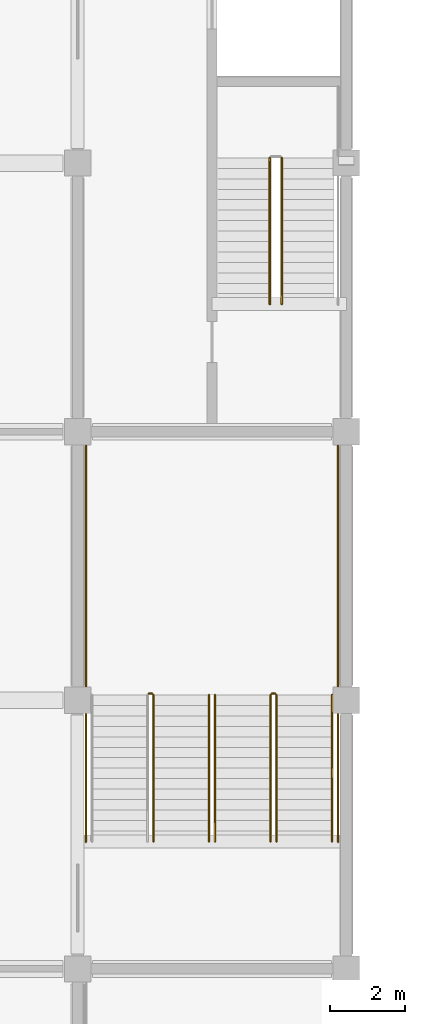
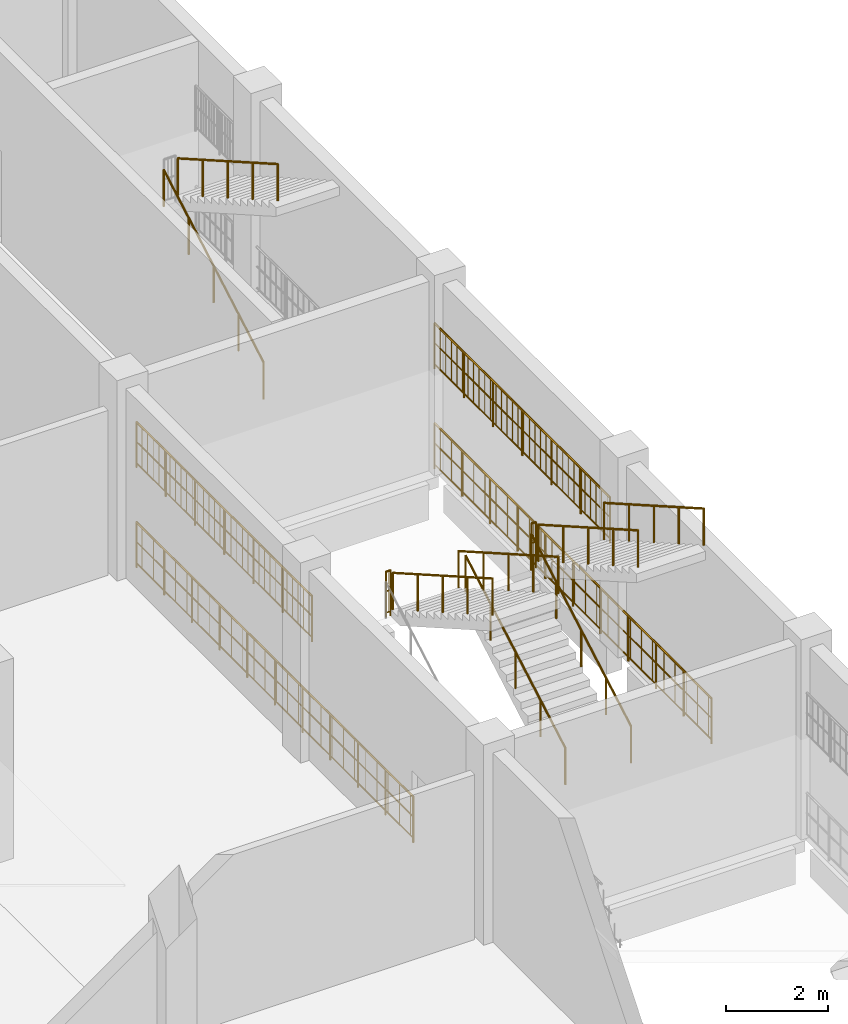
# One storey, part 98 of 99: 14 railings.
"""IFC4 building model written with IfcOpenShell, lengths in metres."""

from ifc_helpers import new_model, si_unit, direction, frame, origin, origin_2d, place, context, subcontext, project, spatial, circle, extrude, material, type_object, element, save


model = new_model("IFC4")

# Units and contexts
model_context = context("Model", 3, precision=1e-05, world=origin(), true_north=direction((0.0, 1.0)))
body_context = subcontext(model_context, "Body", "Model", "MODEL_VIEW")
ifc_project = project(units=[si_unit("LENGTHUNIT", "METRE"), si_unit("AREAUNIT", "SQUARE_METRE"), si_unit("VOLUMEUNIT", "CUBIC_METRE"), si_unit("PLANEANGLEUNIT", "RADIAN"), si_unit("MASSUNIT", "GRAM", prefix="KILO")], contexts=[model_context])

# Site, building, storey
site_placement = place(None, origin())
site = spatial("IfcSite", under=ifc_project, at=site_placement, CompositionType="ELEMENT")
building_placement = place(site_placement, origin())
building = spatial("IfcBuilding", under=site, at=building_placement, Name="Vesperath Aquatics Centre", CompositionType="ELEMENT")
storey_placement = place(building_placement, frame((0.0, 0.0, 5.39990234375)))
storey = spatial("IfcBuildingStorey", under=building, at=storey_placement, Name="L01", CompositionType="ELEMENT", Elevation=5.39990234375)

# Railings
ifc_material_1 = material(Name="Powder-coated galvanized steel safety guard", Category="steel")
railing_type_1 = type_object("IfcRailingType", Name="RL-GRD01", PredefinedType="GUARDRAIL", material=ifc_material_1)
railing_1_placement = place(storey_placement, frame((167.5, 72.179931640625, 2.400146484375)))
element("IfcRailing", 1, at=railing_1_placement, inside=storey, type_object=railing_type_1, Name="Stair ST13A Half-Landing Slot Guard GR02 L01", PredefinedType="GUARDRAIL", context=body_context, shape_type="SweptSolid", body=[
    extrude(circle(Radius=0.02392578125, at=origin_2d()), frame((0.0, 0.0, 1.0859375), z_axis=(1.0, 0.0, 0.0), x_axis=(0.0, 1.0, 0.0)), (0.0, 0.0, 1.0), 0.10009765625),
    extrude(circle(Radius=0.01611328125, at=origin_2d()), frame((0.0, 0.0, 0.10009765625), z_axis=(1.0, 0.0, 0.0), x_axis=(0.0, 1.0, 0.0)), (0.0, 0.0, 1.0), 0.10009765625),
    extrude(circle(Radius=0.01611328125, at=origin_2d()), frame((0.0, 0.0, 0.610595703125), z_axis=(1.0, 0.0, 0.0), x_axis=(0.0, 1.0, 0.0)), (0.0, 0.0, 1.0), 0.10009765625),
    extrude(circle(Radius=0.009033203125, at=origin_2d()), frame((0.050048828125, 0.0, 0.10009765625)), (0.0, 0.0, 1.0), 0.9619140625),
    extrude(circle(Radius=0.02197265625, at=origin_2d()), origin(), (0.0, 0.0, 1.0), 1.0859375),
    extrude(circle(Radius=0.02197265625, at=origin_2d()), frame((0.10009765625, 0.0, 0.0)), (0.0, 0.0, 1.0), 1.0859375),
])
railing_2_placement = place(storey_placement, frame((165.820068359375, 72.179931640625, 2.400146484375)))
element("IfcRailing", 2, at=railing_2_placement, inside=storey, type_object=railing_type_1, Name="Stair ST13A Half-Landing Wall Guard GR02 L01", PredefinedType="GUARDRAIL", context=body_context, shape_type="SweptSolid", body=[
    extrude(circle(Radius=0.02392578125, at=origin_2d()), frame((0.0, 0.0, 1.0859375), z_axis=(0.0, 1.0, 0.0), x_axis=(-1.0, 0.0, 0.0)), (0.0, 0.0, 1.0), 6.89013671875),
    extrude(circle(Radius=0.01611328125, at=origin_2d()), frame((0.0, 0.0, 0.10009765625), z_axis=(0.0, 1.0, 0.0), x_axis=(-1.0, 0.0, 0.0)), (0.0, 0.0, 1.0), 6.89013671875),
    extrude(circle(Radius=0.01611328125, at=origin_2d()), frame((0.0, 0.0, 0.610595703125), z_axis=(0.0, 1.0, 0.0), x_axis=(-1.0, 0.0, 0.0)), (0.0, 0.0, 1.0), 6.89013671875),
    extrude(circle(Radius=0.009033203125, at=origin_2d()), frame((0.0, 0.109375, 0.10009765625)), (0.0, 0.0, 1.0), 0.9619140625),
    extrude(circle(Radius=0.009033203125, at=origin_2d()), frame((0.0, 0.328125, 0.10009765625)), (0.0, 0.0, 1.0), 0.9619140625),
    extrude(circle(Radius=0.009033203125, at=origin_2d()), frame((0.0, 0.546875, 0.10009765625)), (0.0, 0.0, 1.0), 0.9619140625),
    extrude(circle(Radius=0.009033203125, at=origin_2d()), frame((0.0, 0.765625, 0.10009765625)), (0.0, 0.0, 1.0), 0.9619140625),
    extrude(circle(Radius=0.009033203125, at=origin_2d()), frame((0.0, 0.984375, 0.10009765625)), (0.0, 0.0, 1.0), 0.9619140625),
    extrude(circle(Radius=0.009033203125, at=origin_2d()), frame((0.0, 1.203125, 0.10009765625)), (0.0, 0.0, 1.0), 0.9619140625),
    extrude(circle(Radius=0.009033203125, at=origin_2d()), frame((0.0, 1.421875, 0.10009765625)), (0.0, 0.0, 1.0), 0.9619140625),
    extrude(circle(Radius=0.009033203125, at=origin_2d()), frame((0.0, 1.640625, 0.10009765625)), (0.0, 0.0, 1.0), 0.9619140625),
    extrude(circle(Radius=0.009033203125, at=origin_2d()), frame((0.0, 1.859130859375, 0.10009765625)), (0.0, 0.0, 1.0), 0.9619140625),
    extrude(circle(Radius=0.009033203125, at=origin_2d()), frame((0.0, 2.077880859375, 0.10009765625)), (0.0, 0.0, 1.0), 0.9619140625),
    extrude(circle(Radius=0.009033203125, at=origin_2d()), frame((0.0, 2.296630859375, 0.10009765625)), (0.0, 0.0, 1.0), 0.9619140625),
    extrude(circle(Radius=0.009033203125, at=origin_2d()), frame((0.0, 2.515380859375, 0.10009765625)), (0.0, 0.0, 1.0), 0.9619140625),
    extrude(circle(Radius=0.009033203125, at=origin_2d()), frame((0.0, 2.734130859375, 0.10009765625)), (0.0, 0.0, 1.0), 0.9619140625),
    extrude(circle(Radius=0.009033203125, at=origin_2d()), frame((0.0, 2.952880859375, 0.10009765625)), (0.0, 0.0, 1.0), 0.9619140625),
    extrude(circle(Radius=0.009033203125, at=origin_2d()), frame((0.0, 3.171630859375, 0.10009765625)), (0.0, 0.0, 1.0), 0.9619140625),
    extrude(circle(Radius=0.009033203125, at=origin_2d()), frame((0.0, 3.390380859375, 0.10009765625)), (0.0, 0.0, 1.0), 0.9619140625),
    extrude(circle(Radius=0.009033203125, at=origin_2d()), frame((0.0, 3.609130859375, 0.10009765625)), (0.0, 0.0, 1.0), 0.9619140625),
    extrude(circle(Radius=0.009033203125, at=origin_2d()), frame((0.0, 3.827880859375, 0.10009765625)), (0.0, 0.0, 1.0), 0.9619140625),
    extrude(circle(Radius=0.009033203125, at=origin_2d()), frame((0.0, 4.046630859375, 0.10009765625)), (0.0, 0.0, 1.0), 0.9619140625),
    extrude(circle(Radius=0.009033203125, at=origin_2d()), frame((0.0, 4.265380859375, 0.10009765625)), (0.0, 0.0, 1.0), 0.9619140625),
    extrude(circle(Radius=0.009033203125, at=origin_2d()), frame((0.0, 4.484130859375, 0.10009765625)), (0.0, 0.0, 1.0), 0.9619140625),
    extrude(circle(Radius=0.009033203125, at=origin_2d()), frame((0.0, 4.702880859375, 0.10009765625)), (0.0, 0.0, 1.0), 0.9619140625),
    extrude(circle(Radius=0.009033203125, at=origin_2d()), frame((0.0, 4.921630859375, 0.10009765625)), (0.0, 0.0, 1.0), 0.9619140625),
    extrude(circle(Radius=0.009033203125, at=origin_2d()), frame((0.0, 5.140380859375, 0.10009765625)), (0.0, 0.0, 1.0), 0.9619140625),
    extrude(circle(Radius=0.009033203125, at=origin_2d()), frame((0.0, 5.35888671875, 0.10009765625)), (0.0, 0.0, 1.0), 0.9619140625),
    extrude(circle(Radius=0.009033203125, at=origin_2d()), frame((0.0, 5.57763671875, 0.10009765625)), (0.0, 0.0, 1.0), 0.9619140625),
    extrude(circle(Radius=0.009033203125, at=origin_2d()), frame((0.0, 5.79638671875, 0.10009765625)), (0.0, 0.0, 1.0), 0.9619140625),
    extrude(circle(Radius=0.009033203125, at=origin_2d()), frame((0.0, 6.01513671875, 0.10009765625)), (0.0, 0.0, 1.0), 0.9619140625),
    extrude(circle(Radius=0.009033203125, at=origin_2d()), frame((0.0, 6.23388671875, 0.10009765625)), (0.0, 0.0, 1.0), 0.9619140625),
    extrude(circle(Radius=0.009033203125, at=origin_2d()), frame((0.0, 6.45263671875, 0.10009765625)), (0.0, 0.0, 1.0), 0.9619140625),
    extrude(circle(Radius=0.009033203125, at=origin_2d()), frame((0.0, 6.67138671875, 0.10009765625)), (0.0, 0.0, 1.0), 0.9619140625),
    extrude(circle(Radius=0.02197265625, at=origin_2d()), origin(), (0.0, 0.0, 1.0), 1.0859375),
    extrude(circle(Radius=0.02197265625, at=origin_2d()), frame((0.0, 1.1484375, 0.0)), (0.0, 0.0, 1.0), 1.0859375),
    extrude(circle(Radius=0.02197265625, at=origin_2d()), frame((0.0, 2.296630859375, 0.0)), (0.0, 0.0, 1.0), 1.0859375),
    extrude(circle(Radius=0.02197265625, at=origin_2d()), frame((0.0, 3.445068359375, 0.0)), (0.0, 0.0, 1.0), 1.0859375),
    extrude(circle(Radius=0.02197265625, at=origin_2d()), frame((0.0, 4.593505859375, 0.0)), (0.0, 0.0, 1.0), 1.0859375),
    extrude(circle(Radius=0.02197265625, at=origin_2d()), frame((0.0, 5.74169921875, 0.0)), (0.0, 0.0, 1.0), 1.0859375),
    extrude(circle(Radius=0.02197265625, at=origin_2d()), frame((0.0, 6.89013671875, 0.0)), (0.0, 0.0, 1.0), 1.0859375),
])
railing_3_placement = place(storey_placement, frame((165.820068359375, 68.199951171875, 0.0)))
element("IfcRailing", 3, at=railing_3_placement, inside=storey, type_object=railing_type_1, Name="Stair ST13A Shaft Side Guard GR02 L01", PredefinedType="GUARDRAIL", context=body_context, shape_type="SweptSolid", body=[
    extrude(circle(Radius=0.02392578125, at=origin_2d()), frame((0.0, 0.0, 1.0859375), z_axis=(0.0, 1.0, 0.0), x_axis=(-1.0, 0.0, 0.0)), (0.0, 0.0, 1.0), 10.8701171875),
    extrude(circle(Radius=0.01611328125, at=origin_2d()), frame((0.0, 0.0, 0.10009765625), z_axis=(0.0, 1.0, 0.0), x_axis=(-1.0, 0.0, 0.0)), (0.0, 0.0, 1.0), 10.8701171875),
    extrude(circle(Radius=0.01611328125, at=origin_2d()), frame((0.0, 0.0, 0.610595703125), z_axis=(0.0, 1.0, 0.0), x_axis=(-1.0, 0.0, 0.0)), (0.0, 0.0, 1.0), 10.8701171875),
    extrude(circle(Radius=0.009033203125, at=origin_2d()), frame((0.0, 0.10986328125, 0.10009765625)), (0.0, 0.0, 1.0), 0.9619140625),
    extrude(circle(Radius=0.009033203125, at=origin_2d()), frame((0.0, 0.549072265625, 0.10009765625)), (0.0, 0.0, 1.0), 0.9619140625),
    extrude(circle(Radius=0.009033203125, at=origin_2d()), frame((0.0, 0.98828125, 0.10009765625)), (0.0, 0.0, 1.0), 0.9619140625),
    extrude(circle(Radius=0.009033203125, at=origin_2d()), frame((0.0, 1.427490234375, 0.10009765625)), (0.0, 0.0, 1.0), 0.9619140625),
    extrude(circle(Radius=0.009033203125, at=origin_2d()), frame((0.0, 1.86669921875, 0.10009765625)), (0.0, 0.0, 1.0), 0.9619140625),
    extrude(circle(Radius=0.009033203125, at=origin_2d()), frame((0.0, 2.3056640625, 0.10009765625)), (0.0, 0.0, 1.0), 0.9619140625),
    extrude(circle(Radius=0.009033203125, at=origin_2d()), frame((0.0, 2.744873046875, 0.10009765625)), (0.0, 0.0, 1.0), 0.9619140625),
    extrude(circle(Radius=0.009033203125, at=origin_2d()), frame((0.0, 3.18408203125, 0.10009765625)), (0.0, 0.0, 1.0), 0.9619140625),
    extrude(circle(Radius=0.009033203125, at=origin_2d()), frame((0.0, 3.623291015625, 0.10009765625)), (0.0, 0.0, 1.0), 0.9619140625),
    extrude(circle(Radius=0.009033203125, at=origin_2d()), frame((0.0, 4.0625, 0.10009765625)), (0.0, 0.0, 1.0), 0.9619140625),
    extrude(circle(Radius=0.009033203125, at=origin_2d()), frame((0.0, 4.501708984375, 0.10009765625)), (0.0, 0.0, 1.0), 0.9619140625),
    extrude(circle(Radius=0.009033203125, at=origin_2d()), frame((0.0, 4.94091796875, 0.10009765625)), (0.0, 0.0, 1.0), 0.9619140625),
    extrude(circle(Radius=0.009033203125, at=origin_2d()), frame((0.0, 5.380126953125, 0.10009765625)), (0.0, 0.0, 1.0), 0.9619140625),
    extrude(circle(Radius=0.009033203125, at=origin_2d()), frame((0.0, 5.8193359375, 0.10009765625)), (0.0, 0.0, 1.0), 0.9619140625),
    extrude(circle(Radius=0.009033203125, at=origin_2d()), frame((0.0, 6.258544921875, 0.10009765625)), (0.0, 0.0, 1.0), 0.9619140625),
    extrude(circle(Radius=0.009033203125, at=origin_2d()), frame((0.0, 6.69775390625, 0.10009765625)), (0.0, 0.0, 1.0), 0.9619140625),
    extrude(circle(Radius=0.009033203125, at=origin_2d()), frame((0.0, 7.136962890625, 0.10009765625)), (0.0, 0.0, 1.0), 0.9619140625),
    extrude(circle(Radius=0.009033203125, at=origin_2d()), frame((0.0, 7.576171875, 0.10009765625)), (0.0, 0.0, 1.0), 0.9619140625),
    extrude(circle(Radius=0.009033203125, at=origin_2d()), frame((0.0, 8.015380859375, 0.10009765625)), (0.0, 0.0, 1.0), 0.9619140625),
    extrude(circle(Radius=0.009033203125, at=origin_2d()), frame((0.0, 8.45458984375, 0.10009765625)), (0.0, 0.0, 1.0), 0.9619140625),
    extrude(circle(Radius=0.009033203125, at=origin_2d()), frame((0.0, 8.893798828125, 0.10009765625)), (0.0, 0.0, 1.0), 0.9619140625),
    extrude(circle(Radius=0.009033203125, at=origin_2d()), frame((0.0, 9.3330078125, 0.10009765625)), (0.0, 0.0, 1.0), 0.9619140625),
    extrude(circle(Radius=0.009033203125, at=origin_2d()), frame((0.0, 9.772216796875, 0.10009765625)), (0.0, 0.0, 1.0), 0.9619140625),
    extrude(circle(Radius=0.009033203125, at=origin_2d()), frame((0.0, 10.21142578125, 0.10009765625)), (0.0, 0.0, 1.0), 0.9619140625),
    extrude(circle(Radius=0.009033203125, at=origin_2d()), frame((0.0, 10.650634765625, 0.10009765625)), (0.0, 0.0, 1.0), 0.9619140625),
    extrude(circle(Radius=0.02197265625, at=origin_2d()), origin(), (0.0, 0.0, 1.0), 1.0859375),
    extrude(circle(Radius=0.02197265625, at=origin_2d()), frame((0.0, 1.0869140625, 0.0)), (0.0, 0.0, 1.0), 1.0859375),
    extrude(circle(Radius=0.02197265625, at=origin_2d()), frame((0.0, 2.174072265625, 0.0)), (0.0, 0.0, 1.0), 1.0859375),
    extrude(circle(Radius=0.02197265625, at=origin_2d()), frame((0.0, 3.260986328125, 0.0)), (0.0, 0.0, 1.0), 1.0859375),
    extrude(circle(Radius=0.02197265625, at=origin_2d()), frame((0.0, 4.34814453125, 0.0)), (0.0, 0.0, 1.0), 1.0859375),
    extrude(circle(Radius=0.02197265625, at=origin_2d()), frame((0.0, 5.43505859375, 0.0)), (0.0, 0.0, 1.0), 1.0859375),
    extrude(circle(Radius=0.02197265625, at=origin_2d()), frame((0.0, 6.52197265625, 0.0)), (0.0, 0.0, 1.0), 1.0859375),
    extrude(circle(Radius=0.02197265625, at=origin_2d()), frame((0.0, 7.609130859375, 0.0)), (0.0, 0.0, 1.0), 1.0859375),
    extrude(circle(Radius=0.02197265625, at=origin_2d()), frame((0.0, 8.696044921875, 0.0)), (0.0, 0.0, 1.0), 1.0859375),
    extrude(circle(Radius=0.02197265625, at=origin_2d()), frame((0.0, 9.783203125, 0.0)), (0.0, 0.0, 1.0), 1.0859375),
    extrude(circle(Radius=0.02197265625, at=origin_2d()), frame((0.0, 10.8701171875, 0.0)), (0.0, 0.0, 1.0), 1.0859375),
])
railing_4_placement = place(storey_placement, frame((170.800048828125, 72.179931640625, 2.400146484375)))
element("IfcRailing", 4, at=railing_4_placement, inside=storey, type_object=railing_type_1, Name="Stair ST13B Half-Landing Slot Guard GR02 L01", PredefinedType="GUARDRAIL", context=body_context, shape_type="SweptSolid", body=[
    extrude(circle(Radius=0.02392578125, at=origin_2d()), frame((0.0, 0.0, 1.0859375), z_axis=(1.0, 0.0, 0.0), x_axis=(0.0, 1.0, 0.0)), (0.0, 0.0, 1.0), 0.099853515625),
    extrude(circle(Radius=0.01611328125, at=origin_2d()), frame((0.0, 0.0, 0.10009765625), z_axis=(1.0, 0.0, 0.0), x_axis=(0.0, 1.0, 0.0)), (0.0, 0.0, 1.0), 0.099853515625),
    extrude(circle(Radius=0.01611328125, at=origin_2d()), frame((0.0, 0.0, 0.610595703125), z_axis=(1.0, 0.0, 0.0), x_axis=(0.0, 1.0, 0.0)), (0.0, 0.0, 1.0), 0.099853515625),
    extrude(circle(Radius=0.009033203125, at=origin_2d()), frame((0.0498046875, 0.0, 0.10009765625)), (0.0, 0.0, 1.0), 0.9619140625),
    extrude(circle(Radius=0.02197265625, at=origin_2d()), origin(), (0.0, 0.0, 1.0), 1.0859375),
    extrude(circle(Radius=0.02197265625, at=origin_2d()), frame((0.099853515625, 0.0, 0.0)), (0.0, 0.0, 1.0), 1.0859375),
])
railing_5_placement = place(storey_placement, frame((172.580078125, 72.179931640625, 2.400146484375)))
element("IfcRailing", 5, at=railing_5_placement, inside=storey, type_object=railing_type_1, Name="Stair ST13B Half-Landing Wall Guard GR02 L01", PredefinedType="GUARDRAIL", context=body_context, shape_type="SweptSolid", body=[
    extrude(circle(Radius=0.02392578125, at=origin_2d()), frame((0.0, 0.0, 1.0859375), z_axis=(0.0, 1.0, 0.0), x_axis=(-1.0, 0.0, 0.0)), (0.0, 0.0, 1.0), 6.89013671875),
    extrude(circle(Radius=0.01611328125, at=origin_2d()), frame((0.0, 0.0, 0.10009765625), z_axis=(0.0, 1.0, 0.0), x_axis=(-1.0, 0.0, 0.0)), (0.0, 0.0, 1.0), 6.89013671875),
    extrude(circle(Radius=0.01611328125, at=origin_2d()), frame((0.0, 0.0, 0.610595703125), z_axis=(0.0, 1.0, 0.0), x_axis=(-1.0, 0.0, 0.0)), (0.0, 0.0, 1.0), 6.89013671875),
    extrude(circle(Radius=0.009033203125, at=origin_2d()), frame((0.0, 0.109375, 0.10009765625)), (0.0, 0.0, 1.0), 0.9619140625),
    extrude(circle(Radius=0.009033203125, at=origin_2d()), frame((0.0, 0.328125, 0.10009765625)), (0.0, 0.0, 1.0), 0.9619140625),
    extrude(circle(Radius=0.009033203125, at=origin_2d()), frame((0.0, 0.546875, 0.10009765625)), (0.0, 0.0, 1.0), 0.9619140625),
    extrude(circle(Radius=0.009033203125, at=origin_2d()), frame((0.0, 0.765625, 0.10009765625)), (0.0, 0.0, 1.0), 0.9619140625),
    extrude(circle(Radius=0.009033203125, at=origin_2d()), frame((0.0, 0.984375, 0.10009765625)), (0.0, 0.0, 1.0), 0.9619140625),
    extrude(circle(Radius=0.009033203125, at=origin_2d()), frame((0.0, 1.203125, 0.10009765625)), (0.0, 0.0, 1.0), 0.9619140625),
    extrude(circle(Radius=0.009033203125, at=origin_2d()), frame((0.0, 1.421875, 0.10009765625)), (0.0, 0.0, 1.0), 0.9619140625),
    extrude(circle(Radius=0.009033203125, at=origin_2d()), frame((0.0, 1.640625, 0.10009765625)), (0.0, 0.0, 1.0), 0.9619140625),
    extrude(circle(Radius=0.009033203125, at=origin_2d()), frame((0.0, 1.859130859375, 0.10009765625)), (0.0, 0.0, 1.0), 0.9619140625),
    extrude(circle(Radius=0.009033203125, at=origin_2d()), frame((0.0, 2.077880859375, 0.10009765625)), (0.0, 0.0, 1.0), 0.9619140625),
    extrude(circle(Radius=0.009033203125, at=origin_2d()), frame((0.0, 2.296630859375, 0.10009765625)), (0.0, 0.0, 1.0), 0.9619140625),
    extrude(circle(Radius=0.009033203125, at=origin_2d()), frame((0.0, 2.515380859375, 0.10009765625)), (0.0, 0.0, 1.0), 0.9619140625),
    extrude(circle(Radius=0.009033203125, at=origin_2d()), frame((0.0, 2.734130859375, 0.10009765625)), (0.0, 0.0, 1.0), 0.9619140625),
    extrude(circle(Radius=0.009033203125, at=origin_2d()), frame((0.0, 2.952880859375, 0.10009765625)), (0.0, 0.0, 1.0), 0.9619140625),
    extrude(circle(Radius=0.009033203125, at=origin_2d()), frame((0.0, 3.171630859375, 0.10009765625)), (0.0, 0.0, 1.0), 0.9619140625),
    extrude(circle(Radius=0.009033203125, at=origin_2d()), frame((0.0, 3.390380859375, 0.10009765625)), (0.0, 0.0, 1.0), 0.9619140625),
    extrude(circle(Radius=0.009033203125, at=origin_2d()), frame((0.0, 3.609130859375, 0.10009765625)), (0.0, 0.0, 1.0), 0.9619140625),
    extrude(circle(Radius=0.009033203125, at=origin_2d()), frame((0.0, 3.827880859375, 0.10009765625)), (0.0, 0.0, 1.0), 0.9619140625),
    extrude(circle(Radius=0.009033203125, at=origin_2d()), frame((0.0, 4.046630859375, 0.10009765625)), (0.0, 0.0, 1.0), 0.9619140625),
    extrude(circle(Radius=0.009033203125, at=origin_2d()), frame((0.0, 4.265380859375, 0.10009765625)), (0.0, 0.0, 1.0), 0.9619140625),
    extrude(circle(Radius=0.009033203125, at=origin_2d()), frame((0.0, 4.484130859375, 0.10009765625)), (0.0, 0.0, 1.0), 0.9619140625),
    extrude(circle(Radius=0.009033203125, at=origin_2d()), frame((0.0, 4.702880859375, 0.10009765625)), (0.0, 0.0, 1.0), 0.9619140625),
    extrude(circle(Radius=0.009033203125, at=origin_2d()), frame((0.0, 4.921630859375, 0.10009765625)), (0.0, 0.0, 1.0), 0.9619140625),
    extrude(circle(Radius=0.009033203125, at=origin_2d()), frame((0.0, 5.140380859375, 0.10009765625)), (0.0, 0.0, 1.0), 0.9619140625),
    extrude(circle(Radius=0.009033203125, at=origin_2d()), frame((0.0, 5.35888671875, 0.10009765625)), (0.0, 0.0, 1.0), 0.9619140625),
    extrude(circle(Radius=0.009033203125, at=origin_2d()), frame((0.0, 5.57763671875, 0.10009765625)), (0.0, 0.0, 1.0), 0.9619140625),
    extrude(circle(Radius=0.009033203125, at=origin_2d()), frame((0.0, 5.79638671875, 0.10009765625)), (0.0, 0.0, 1.0), 0.9619140625),
    extrude(circle(Radius=0.009033203125, at=origin_2d()), frame((0.0, 6.01513671875, 0.10009765625)), (0.0, 0.0, 1.0), 0.9619140625),
    extrude(circle(Radius=0.009033203125, at=origin_2d()), frame((0.0, 6.23388671875, 0.10009765625)), (0.0, 0.0, 1.0), 0.9619140625),
    extrude(circle(Radius=0.009033203125, at=origin_2d()), frame((0.0, 6.45263671875, 0.10009765625)), (0.0, 0.0, 1.0), 0.9619140625),
    extrude(circle(Radius=0.009033203125, at=origin_2d()), frame((0.0, 6.67138671875, 0.10009765625)), (0.0, 0.0, 1.0), 0.9619140625),
    extrude(circle(Radius=0.02197265625, at=origin_2d()), origin(), (0.0, 0.0, 1.0), 1.0859375),
    extrude(circle(Radius=0.02197265625, at=origin_2d()), frame((0.0, 1.1484375, 0.0)), (0.0, 0.0, 1.0), 1.0859375),
    extrude(circle(Radius=0.02197265625, at=origin_2d()), frame((0.0, 2.296630859375, 0.0)), (0.0, 0.0, 1.0), 1.0859375),
    extrude(circle(Radius=0.02197265625, at=origin_2d()), frame((0.0, 3.445068359375, 0.0)), (0.0, 0.0, 1.0), 1.0859375),
    extrude(circle(Radius=0.02197265625, at=origin_2d()), frame((0.0, 4.593505859375, 0.0)), (0.0, 0.0, 1.0), 1.0859375),
    extrude(circle(Radius=0.02197265625, at=origin_2d()), frame((0.0, 5.74169921875, 0.0)), (0.0, 0.0, 1.0), 1.0859375),
    extrude(circle(Radius=0.02197265625, at=origin_2d()), frame((0.0, 6.89013671875, 0.0)), (0.0, 0.0, 1.0), 1.0859375),
])
railing_6_placement = place(storey_placement, frame((172.580078125, 68.199951171875, 0.0)))
element("IfcRailing", 6, at=railing_6_placement, inside=storey, type_object=railing_type_1, Name="Stair ST13B Shaft Side Guard GR02 L01", PredefinedType="GUARDRAIL", context=body_context, shape_type="SweptSolid", body=[
    extrude(circle(Radius=0.02392578125, at=origin_2d()), frame((0.0, 0.0, 1.0859375), z_axis=(0.0, 1.0, 0.0), x_axis=(-1.0, 0.0, 0.0)), (0.0, 0.0, 1.0), 10.8701171875),
    extrude(circle(Radius=0.01611328125, at=origin_2d()), frame((0.0, 0.0, 0.10009765625), z_axis=(0.0, 1.0, 0.0), x_axis=(-1.0, 0.0, 0.0)), (0.0, 0.0, 1.0), 10.8701171875),
    extrude(circle(Radius=0.01611328125, at=origin_2d()), frame((0.0, 0.0, 0.610595703125), z_axis=(0.0, 1.0, 0.0), x_axis=(-1.0, 0.0, 0.0)), (0.0, 0.0, 1.0), 10.8701171875),
    extrude(circle(Radius=0.009033203125, at=origin_2d()), frame((0.0, 0.10986328125, 0.10009765625)), (0.0, 0.0, 1.0), 0.9619140625),
    extrude(circle(Radius=0.009033203125, at=origin_2d()), frame((0.0, 0.549072265625, 0.10009765625)), (0.0, 0.0, 1.0), 0.9619140625),
    extrude(circle(Radius=0.009033203125, at=origin_2d()), frame((0.0, 0.98828125, 0.10009765625)), (0.0, 0.0, 1.0), 0.9619140625),
    extrude(circle(Radius=0.009033203125, at=origin_2d()), frame((0.0, 1.427490234375, 0.10009765625)), (0.0, 0.0, 1.0), 0.9619140625),
    extrude(circle(Radius=0.009033203125, at=origin_2d()), frame((0.0, 1.86669921875, 0.10009765625)), (0.0, 0.0, 1.0), 0.9619140625),
    extrude(circle(Radius=0.009033203125, at=origin_2d()), frame((0.0, 2.3056640625, 0.10009765625)), (0.0, 0.0, 1.0), 0.9619140625),
    extrude(circle(Radius=0.009033203125, at=origin_2d()), frame((0.0, 2.744873046875, 0.10009765625)), (0.0, 0.0, 1.0), 0.9619140625),
    extrude(circle(Radius=0.009033203125, at=origin_2d()), frame((0.0, 3.18408203125, 0.10009765625)), (0.0, 0.0, 1.0), 0.9619140625),
    extrude(circle(Radius=0.009033203125, at=origin_2d()), frame((0.0, 3.623291015625, 0.10009765625)), (0.0, 0.0, 1.0), 0.9619140625),
    extrude(circle(Radius=0.009033203125, at=origin_2d()), frame((0.0, 4.0625, 0.10009765625)), (0.0, 0.0, 1.0), 0.9619140625),
    extrude(circle(Radius=0.009033203125, at=origin_2d()), frame((0.0, 4.501708984375, 0.10009765625)), (0.0, 0.0, 1.0), 0.9619140625),
    extrude(circle(Radius=0.009033203125, at=origin_2d()), frame((0.0, 4.94091796875, 0.10009765625)), (0.0, 0.0, 1.0), 0.9619140625),
    extrude(circle(Radius=0.009033203125, at=origin_2d()), frame((0.0, 5.380126953125, 0.10009765625)), (0.0, 0.0, 1.0), 0.9619140625),
    extrude(circle(Radius=0.009033203125, at=origin_2d()), frame((0.0, 5.8193359375, 0.10009765625)), (0.0, 0.0, 1.0), 0.9619140625),
    extrude(circle(Radius=0.009033203125, at=origin_2d()), frame((0.0, 6.258544921875, 0.10009765625)), (0.0, 0.0, 1.0), 0.9619140625),
    extrude(circle(Radius=0.009033203125, at=origin_2d()), frame((0.0, 6.69775390625, 0.10009765625)), (0.0, 0.0, 1.0), 0.9619140625),
    extrude(circle(Radius=0.009033203125, at=origin_2d()), frame((0.0, 7.136962890625, 0.10009765625)), (0.0, 0.0, 1.0), 0.9619140625),
    extrude(circle(Radius=0.009033203125, at=origin_2d()), frame((0.0, 7.576171875, 0.10009765625)), (0.0, 0.0, 1.0), 0.9619140625),
    extrude(circle(Radius=0.009033203125, at=origin_2d()), frame((0.0, 8.015380859375, 0.10009765625)), (0.0, 0.0, 1.0), 0.9619140625),
    extrude(circle(Radius=0.009033203125, at=origin_2d()), frame((0.0, 8.45458984375, 0.10009765625)), (0.0, 0.0, 1.0), 0.9619140625),
    extrude(circle(Radius=0.009033203125, at=origin_2d()), frame((0.0, 8.893798828125, 0.10009765625)), (0.0, 0.0, 1.0), 0.9619140625),
    extrude(circle(Radius=0.009033203125, at=origin_2d()), frame((0.0, 9.3330078125, 0.10009765625)), (0.0, 0.0, 1.0), 0.9619140625),
    extrude(circle(Radius=0.009033203125, at=origin_2d()), frame((0.0, 9.772216796875, 0.10009765625)), (0.0, 0.0, 1.0), 0.9619140625),
    extrude(circle(Radius=0.009033203125, at=origin_2d()), frame((0.0, 10.21142578125, 0.10009765625)), (0.0, 0.0, 1.0), 0.9619140625),
    extrude(circle(Radius=0.009033203125, at=origin_2d()), frame((0.0, 10.650634765625, 0.10009765625)), (0.0, 0.0, 1.0), 0.9619140625),
    extrude(circle(Radius=0.02197265625, at=origin_2d()), origin(), (0.0, 0.0, 1.0), 1.0859375),
    extrude(circle(Radius=0.02197265625, at=origin_2d()), frame((0.0, 1.0869140625, 0.0)), (0.0, 0.0, 1.0), 1.0859375),
    extrude(circle(Radius=0.02197265625, at=origin_2d()), frame((0.0, 2.174072265625, 0.0)), (0.0, 0.0, 1.0), 1.0859375),
    extrude(circle(Radius=0.02197265625, at=origin_2d()), frame((0.0, 3.260986328125, 0.0)), (0.0, 0.0, 1.0), 1.0859375),
    extrude(circle(Radius=0.02197265625, at=origin_2d()), frame((0.0, 4.34814453125, 0.0)), (0.0, 0.0, 1.0), 1.0859375),
    extrude(circle(Radius=0.02197265625, at=origin_2d()), frame((0.0, 5.43505859375, 0.0)), (0.0, 0.0, 1.0), 1.0859375),
    extrude(circle(Radius=0.02197265625, at=origin_2d()), frame((0.0, 6.52197265625, 0.0)), (0.0, 0.0, 1.0), 1.0859375),
    extrude(circle(Radius=0.02197265625, at=origin_2d()), frame((0.0, 7.609130859375, 0.0)), (0.0, 0.0, 1.0), 1.0859375),
    extrude(circle(Radius=0.02197265625, at=origin_2d()), frame((0.0, 8.696044921875, 0.0)), (0.0, 0.0, 1.0), 1.0859375),
    extrude(circle(Radius=0.02197265625, at=origin_2d()), frame((0.0, 9.783203125, 0.0)), (0.0, 0.0, 1.0), 1.0859375),
    extrude(circle(Radius=0.02197265625, at=origin_2d()), frame((0.0, 10.8701171875, 0.0)), (0.0, 0.0, 1.0), 1.0859375),
])
ifc_material_2 = material(Name="Brushed stainless steel tubular handrail", Category="steel")
railing_type_2 = type_object("IfcRailingType", Name="RL-HND01", PredefinedType="HANDRAIL", material=ifc_material_2)
railing_7_placement = place(storey_placement, frame((170.75, 82.6201171875, 0.16015625)))
element("IfcRailing", 7, at=railing_7_placement, inside=storey, type_object=railing_type_2, Name="Stair ST4 Flight 1 Handrail HR01 L01", PredefinedType="HANDRAIL", context=body_context, shape_type="SweptSolid", body=[
    extrude(circle(Radius=0.02392578125, at=origin_2d()), frame((0.0, 0.0, 0.8759765625), z_axis=(0.0, 0.868239814368, 0.496144761885), x_axis=(-1.0, 0.0, 0.0)), (0.0, 0.0, 1.0), 4.514892578125),
    extrude(circle(Radius=0.02197265625, at=origin_2d()), origin(), (0.0, 0.0, 1.0), 0.8759765625),
    extrude(circle(Radius=0.02197265625, at=origin_2d()), frame((0.0, 0.97998046875, 0.56005859375)), (0.0, 0.0, 1.0), 0.8759765625),
    extrude(circle(Radius=0.02197265625, at=origin_2d()), frame((0.0, 1.9599609375, 1.1201171875)), (0.0, 0.0, 1.0), 0.8759765625),
    extrude(circle(Radius=0.02197265625, at=origin_2d()), frame((0.0, 2.93994140625, 1.679931640625)), (0.0, 0.0, 1.0), 0.8759765625),
    extrude(circle(Radius=0.02197265625, at=origin_2d()), frame((0.0, 3.919921875, 2.239990234375)), (0.0, 0.0, 1.0), 0.8759765625),
])
for number, where, name in (
    (8, (171.070068359375, 86.5400390625, 2.56005859375), "Stair ST4 Flight 2 Handrail HR01 L01"),
    (9, (167.6298828125, 72.139892578125, 2.56005859375), "Stair ST13A Flight 2 Handrail HR01 L01"),
    (10, (169.1201171875, 72.139892578125, 2.56005859375), "Stair ST13A Flight 2 Handrail HR01 L01"),
):
    element("IfcRailing", number, at=place(storey_placement, frame(where)), inside=storey, type_object=railing_type_2, Name=name, PredefinedType="HANDRAIL", context=body_context, shape_type="SweptSolid", body=[
        extrude(circle(Radius=0.02392578125, at=origin_2d()), frame((0.0, 0.0, 0.8759765625), z_axis=(0.0, -0.868239814368, 0.496144761885), x_axis=(1.0, 0.0, 0.0)), (0.0, 0.0, 1.0), 4.514892578125),
        extrude(circle(Radius=0.02197265625, at=origin_2d()), origin(), (0.0, 0.0, 1.0), 0.8759765625),
        extrude(circle(Radius=0.02197265625, at=origin_2d()), frame((0.0, -0.97998046875, 0.56005859375)), (0.0, 0.0, 1.0), 0.8759765625),
        extrude(circle(Radius=0.02197265625, at=origin_2d()), frame((0.0, -1.9599609375, 1.1201171875)), (0.0, 0.0, 1.0), 0.8759765625),
        extrude(circle(Radius=0.02197265625, at=origin_2d()), frame((0.0, -2.93994140625, 1.679931640625)), (0.0, 0.0, 1.0), 0.8759765625),
        extrude(circle(Radius=0.02197265625, at=origin_2d()), frame((0.0, -3.919921875, 2.239990234375)), (0.0, 0.0, 1.0), 0.8759765625),
    ])
railing_8_placement = place(storey_placement, frame((170.77001953125, 68.219970703125, 0.16015625)))
element("IfcRailing", 11, at=railing_8_placement, inside=storey, type_object=railing_type_2, Name="Stair ST13B Flight 1 Handrail HR01 L01", PredefinedType="HANDRAIL", context=body_context, shape_type="SweptSolid", body=[
    extrude(circle(Radius=0.02392578125, at=origin_2d()), frame((0.0, 0.0, 0.8759765625), z_axis=(0.0, 0.868239814368, 0.496144761885), x_axis=(-1.0, 0.0, 0.0)), (0.0, 0.0, 1.0), 4.514892578125),
    extrude(circle(Radius=0.02197265625, at=origin_2d()), origin(), (0.0, 0.0, 1.0), 0.8759765625),
    extrude(circle(Radius=0.02197265625, at=origin_2d()), frame((0.0, 0.97998046875, 0.56005859375)), (0.0, 0.0, 1.0), 0.8759765625),
    extrude(circle(Radius=0.02197265625, at=origin_2d()), frame((0.0, 1.9599609375, 1.1201171875)), (0.0, 0.0, 1.0), 0.8759765625),
    extrude(circle(Radius=0.02197265625, at=origin_2d()), frame((0.0, 2.93994140625, 1.679931640625)), (0.0, 0.0, 1.0), 0.8759765625),
    extrude(circle(Radius=0.02197265625, at=origin_2d()), frame((0.0, 3.919921875, 2.239990234375)), (0.0, 0.0, 1.0), 0.8759765625),
])
railing_9_placement = place(storey_placement, frame((170.929931640625, 72.139892578125, 2.56005859375)))
element("IfcRailing", 12, at=railing_9_placement, inside=storey, type_object=railing_type_2, Name="Stair ST13B Flight 2 Handrail HR01 L01", PredefinedType="HANDRAIL", context=body_context, shape_type="SweptSolid", body=[
    extrude(circle(Radius=0.02392578125, at=origin_2d()), frame((0.0, 0.0, 0.8759765625), z_axis=(0.0, -0.868239814368, 0.496144761885), x_axis=(1.0, 0.0, 0.0)), (0.0, 0.0, 1.0), 4.514892578125),
    extrude(circle(Radius=0.02197265625, at=origin_2d()), origin(), (0.0, 0.0, 1.0), 0.8759765625),
    extrude(circle(Radius=0.02197265625, at=origin_2d()), frame((0.0, -0.97998046875, 0.56005859375)), (0.0, 0.0, 1.0), 0.8759765625),
    extrude(circle(Radius=0.02197265625, at=origin_2d()), frame((0.0, -1.9599609375, 1.1201171875)), (0.0, 0.0, 1.0), 0.8759765625),
    extrude(circle(Radius=0.02197265625, at=origin_2d()), frame((0.0, -2.93994140625, 1.679931640625)), (0.0, 0.0, 1.0), 0.8759765625),
    extrude(circle(Radius=0.02197265625, at=origin_2d()), frame((0.0, -3.919921875, 2.239990234375)), (0.0, 0.0, 1.0), 0.8759765625),
])
railing_10_placement = place(storey_placement, frame((169.280029296875, 68.219970703125, 0.16015625)))
element("IfcRailing", 13, at=railing_10_placement, inside=storey, type_object=railing_type_2, Name="Stair ST13B Flight 1 Handrail HR01 L01", PredefinedType="HANDRAIL", context=body_context, shape_type="SweptSolid", body=[
    extrude(circle(Radius=0.02392578125, at=origin_2d()), frame((0.0, 0.0, 0.8759765625), z_axis=(0.0, 0.868239814368, 0.496144761885), x_axis=(-1.0, 0.0, 0.0)), (0.0, 0.0, 1.0), 4.514892578125),
    extrude(circle(Radius=0.02197265625, at=origin_2d()), origin(), (0.0, 0.0, 1.0), 0.8759765625),
    extrude(circle(Radius=0.02197265625, at=origin_2d()), frame((0.0, 0.97998046875, 0.56005859375)), (0.0, 0.0, 1.0), 0.8759765625),
    extrude(circle(Radius=0.02197265625, at=origin_2d()), frame((0.0, 1.9599609375, 1.1201171875)), (0.0, 0.0, 1.0), 0.8759765625),
    extrude(circle(Radius=0.02197265625, at=origin_2d()), frame((0.0, 2.93994140625, 1.679931640625)), (0.0, 0.0, 1.0), 0.8759765625),
    extrude(circle(Radius=0.02197265625, at=origin_2d()), frame((0.0, 3.919921875, 2.239990234375)), (0.0, 0.0, 1.0), 0.8759765625),
])
railing_11_placement = place(storey_placement, frame((172.419921875, 72.139892578125, 2.56005859375)))
element("IfcRailing", 14, at=railing_11_placement, inside=storey, type_object=railing_type_2, Name="Stair ST13B Flight 2 Handrail HR01 L01", PredefinedType="HANDRAIL", context=body_context, shape_type="SweptSolid", body=[
    extrude(circle(Radius=0.02392578125, at=origin_2d()), frame((0.0, 0.0, 0.8759765625), z_axis=(0.0, -0.868239814368, 0.496144761885), x_axis=(1.0, 0.0, 0.0)), (0.0, 0.0, 1.0), 4.514892578125),
    extrude(circle(Radius=0.02197265625, at=origin_2d()), origin(), (0.0, 0.0, 1.0), 0.8759765625),
    extrude(circle(Radius=0.02197265625, at=origin_2d()), frame((0.0, -0.97998046875, 0.56005859375)), (0.0, 0.0, 1.0), 0.8759765625),
    extrude(circle(Radius=0.02197265625, at=origin_2d()), frame((0.0, -1.9599609375, 1.1201171875)), (0.0, 0.0, 1.0), 0.8759765625),
    extrude(circle(Radius=0.02197265625, at=origin_2d()), frame((0.0, -2.93994140625, 1.679931640625)), (0.0, 0.0, 1.0), 0.8759765625),
    extrude(circle(Radius=0.02197265625, at=origin_2d()), frame((0.0, -3.919921875, 2.239990234375)), (0.0, 0.0, 1.0), 0.8759765625),
])

save(model, "model.ifc")
